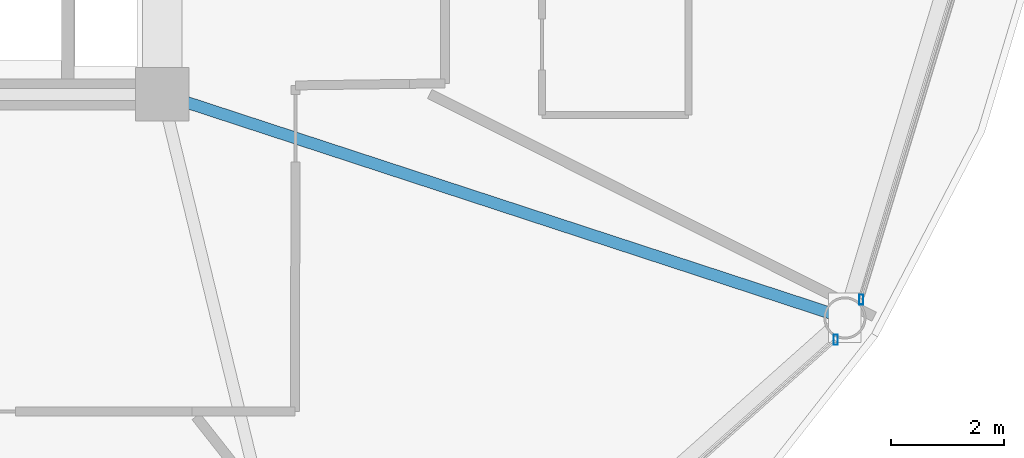
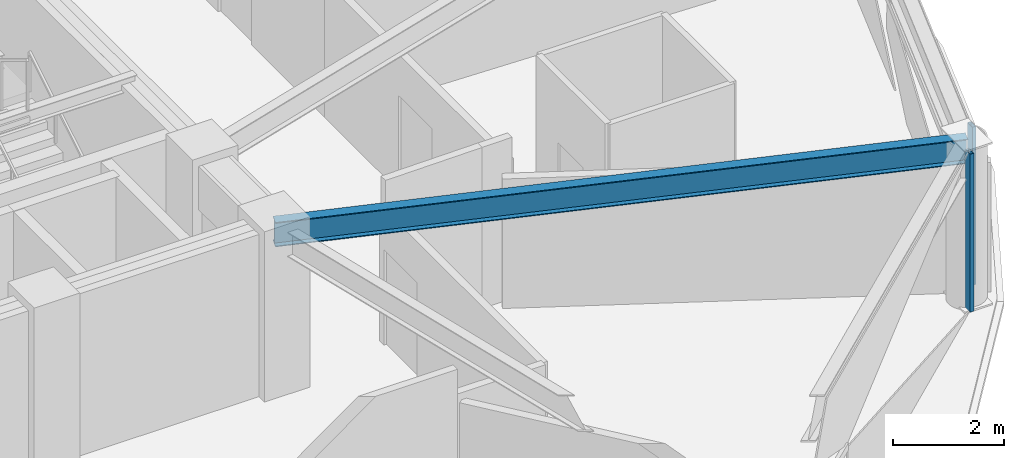
# One storey, part 11 of 30: 2 members, 1 beam, 2 elements without a shape of their own.
"""IFC4 building model written with IfcOpenShell, lengths in metres."""

from ifc_helpers import new_model, si_unit, direction, frame, origin, origin_2d, place, context, subcontext, project, spatial, hollow_rectangle, i_section, extrude, material, layer, layer_set, material_profile, profile_set, type_object, element, aggregate, save


model = new_model("IFC4")

# Units and contexts
model_context = context("Model", 3, precision=1e-05, world=origin(), true_north=direction((0.0, 1.0)))
body_context = subcontext(model_context, "Body", "Model", "MODEL_VIEW")
ifc_project = project(units=[si_unit("LENGTHUNIT", "METRE"), si_unit("AREAUNIT", "SQUARE_METRE"), si_unit("VOLUMEUNIT", "CUBIC_METRE"), si_unit("PLANEANGLEUNIT", "RADIAN"), si_unit("MASSUNIT", "GRAM", prefix="KILO")], contexts=[model_context])

# Site, building, storey
site_placement = place(None, origin())
site = spatial("IfcSite", under=ifc_project, at=site_placement, CompositionType="ELEMENT")
building_placement = place(site_placement, origin())
building = spatial("IfcBuilding", under=site, at=building_placement, Name="Vantalir Tower", CompositionType="ELEMENT")
storey_placement = place(building_placement, frame((0.0, 0.0, 130.949951171875)))
storey = spatial("IfcBuildingStorey", under=building, at=storey_placement, Name="L32", CompositionType="ELEMENT", Elevation=130.949951171875)

# Beam
ifc_material_1 = material(Name="Steel S355", Category="steel")
ifc_material_profile_1 = material_profile(ifc_material_1, i_section(OverallWidth=0.2109375, OverallDepth=0.5390625, WebThickness=0.01171875, FlangeThickness=0.018798828125, at=origin_2d()), Name="Steel S355")
ifc_profile_set_1 = profile_set([ifc_material_profile_1], Name="Steel S355")
beam_type = type_object("IfcBeamType", Name="BM-RB-533x210", PredefinedType="BEAM", material=ifc_profile_set_1)
beam_placement = place(storey_placement, frame((53.23095703125, 13.826904296875, 3.301025390625), z_axis=(-0.950326586156, 0.311254525501, 0.0), x_axis=(-0.311254525501, -0.950326586156, 0.0)))
element("IfcBeam", 1, at=beam_placement, inside=storey, type_object=beam_type, Name="L32 Radial Floor Beam 12", PredefinedType="BEAM", context=body_context, shape_type="SweptSolid", body=[
    extrude(i_section(OverallWidth=0.2109375, OverallDepth=0.5390625, WebThickness=0.01171875, FlangeThickness=0.018798828125, at=origin_2d()), origin(), (0.0, 0.0, 1.0), 12.764892578125),
])

# Curtain wall, member
ifc_material_2 = material(Name="Champagne-silver PVDF aluminium and double-silver Low-E glass", Category="aluminium")
ifc_layer = layer(ifc_material_2, 0.199951171875)
ifc_layer_set = layer_set([ifc_layer], Name="Champagne-silver PVDF aluminium and double-silver Low-E glass")
curtain_wall_type = type_object("IfcCurtainWallType", Name="CW-DIAMOND-Z2", PredefinedType="USERDEFINED", material=ifc_layer_set)
curtain_wall_1_placement = place(storey_placement, origin())
curtain_wall_1 = element("IfcCurtainWall", 2, at=curtain_wall_1_placement, inside=storey, type_object=curtain_wall_type, Name="L32 Quilted Pyramid-Diamond Curtain Wall S11", ObjectType="UNITISED CURTAIN WALL", PredefinedType="USERDEFINED")
ifc_material_3 = material(Name="Champagne-silver PVDF aluminium 6063-T6", Category="aluminium")
ifc_material_profile_2 = material_profile(ifc_material_3, hollow_rectangle(XDim=0.074951171875, YDim=0.179931640625, WallThickness=0.00390625, at=origin_2d()), Name="Champagne-silver PVDF aluminium 6063-T6")
ifc_profile_set_2 = profile_set([ifc_material_profile_2], Name="Champagne-silver PVDF aluminium 6063-T6")
member_type = type_object("IfcMemberType", Name="CWM-180x75", PredefinedType="MULLION", material=ifc_profile_set_2)
member_1_placement = place(storey_placement, frame((53.068115234375, 13.43896484375, 0.045166015625), z_axis=(0.0, 0.0, 1.0), x_axis=(1.0, 0.0, 0.0)))
member_1 = element("IfcMember", 3, at=member_1_placement, type_object=member_type, Name="CW-L32-S11 Mullion 2", PredefinedType="MULLION", context=body_context, shape_type="SweptSolid", body=[
    extrude(hollow_rectangle(XDim=0.074951171875, YDim=0.179931640625, WallThickness=0.00390625, at=origin_2d()), origin(), (0.0, 0.0, 1.0), 3.47998046875),
])
aggregate(curtain_wall_1, [member_1])

curtain_wall_2_placement = place(storey_placement, origin())
curtain_wall_2 = element("IfcCurtainWall", 4, at=curtain_wall_2_placement, inside=storey, type_object=curtain_wall_type, Name="L32 Quilted Pyramid-Diamond Curtain Wall S12", ObjectType="UNITISED CURTAIN WALL", PredefinedType="USERDEFINED")
member_2_placement = place(storey_placement, frame((53.52294921875, 14.153076171875, 0.045166015625), z_axis=(0.0, 0.0, 1.0), x_axis=(1.0, 0.0, 0.0)))
member_2 = element("IfcMember", 5, at=member_2_placement, type_object=member_type, Name="CW-L32-S12 Mullion 1", PredefinedType="MULLION", context=body_context, shape_type="SweptSolid", body=[
    extrude(hollow_rectangle(XDim=0.074951171875, YDim=0.179931640625, WallThickness=0.00390625, at=origin_2d()), origin(), (0.0, 0.0, 1.0), 3.47998046875),
])
aggregate(curtain_wall_2, [member_2])

save(model, "model.ifc")
